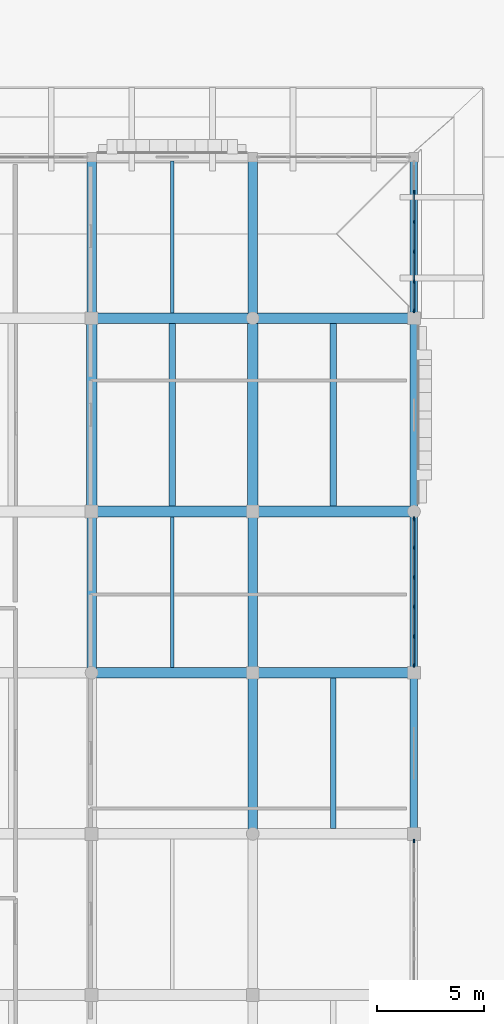
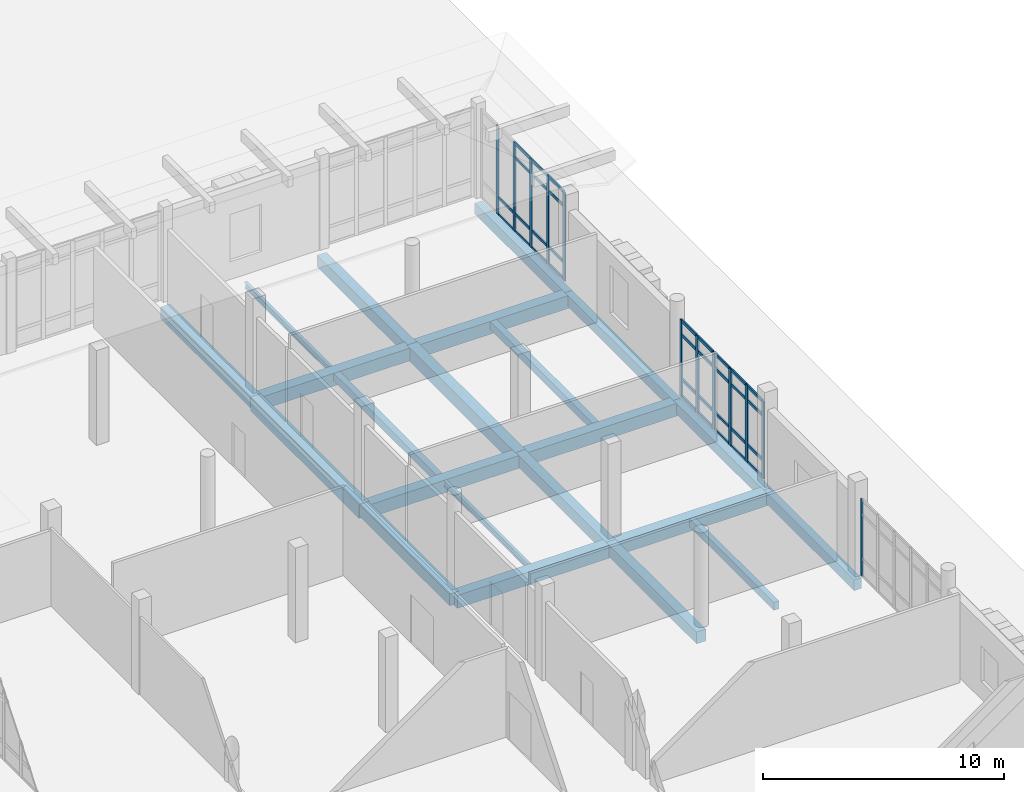
# One storey, part 65 of 125: 46 members, 22 beams, 3 elements without a shape of their own.
"""IFC4 building model written with IfcOpenShell, lengths in metres."""

from ifc_helpers import new_model, si_unit, direction, frame, origin, origin_2d, place, context, subcontext, project, spatial, rectangle, i_section, extrude, material, layer, layer_set, material_profile, profile_set, type_object, element, aggregate, save


model = new_model("IFC4")

# Units and contexts
model_context = context("Model", 3, precision=1e-05, world=origin(), true_north=direction((0.0, 1.0)))
body_context = subcontext(model_context, "Body", "Model", "MODEL_VIEW")
ifc_project = project(units=[si_unit("LENGTHUNIT", "METRE"), si_unit("AREAUNIT", "SQUARE_METRE"), si_unit("VOLUMEUNIT", "CUBIC_METRE"), si_unit("PLANEANGLEUNIT", "RADIAN"), si_unit("MASSUNIT", "GRAM", prefix="KILO")], contexts=[model_context])

# Site, building, storey
site_placement = place(None, origin())
site = spatial("IfcSite", under=ifc_project, at=site_placement, CompositionType="ELEMENT")
building_placement = place(site_placement, origin())
building = spatial("IfcBuilding", under=site, at=building_placement, Name="Dalvernix Boulevard General Hospital", CompositionType="ELEMENT")
storey_placement = place(building_placement, origin())
storey = spatial("IfcBuildingStorey", under=building, at=storey_placement, Name="L00", CompositionType="ELEMENT", Elevation=0.0)

# Beams
ifc_material_1 = material(Name="Concrete C35/45", Category="concrete")
ifc_material_profile_1 = material_profile(ifc_material_1, rectangle(XDim=0.5, YDim=0.699951171875, at=origin_2d()), Name="RCB 500x700")
ifc_profile_set_1 = profile_set([ifc_material_profile_1], Name="Concrete C35/45")
beam_type_1 = type_object("IfcBeamType", Name="BM-B-01-I", PredefinedType="BEAM", material=ifc_profile_set_1)
for number, where, z_axis, x_axis, name in (
    (1, (157.5, 76.5, -0.7099609375), (0.0, 1.0, 0.0), (-1.0, 0.0, 0.0), "L00 N-S girder 22:L-M"),
    (2, (165.0, 76.5, -0.7099609375), (0.0, 1.0, 0.0), (-1.0, 0.0, 0.0), "L00 N-S girder 23:L-M"),
):
    element("IfcBeam", number, at=place(storey_placement, frame(where, z_axis=z_axis, x_axis=x_axis)), inside=storey, type_object=beam_type_1, Name=name, PredefinedType="BEAM", context=body_context, shape_type="SweptSolid", body=[
        extrude(rectangle(XDim=0.5, YDim=0.699951171875, at=origin_2d()), origin(), (0.0, 0.0, 1.0), 9.0),
    ])
ifc_material_profile_2 = material_profile(ifc_material_1, rectangle(XDim=0.5, YDim=0.64990234375, at=origin_2d()), Name="RCB 500x650")
ifc_profile_set_2 = profile_set([ifc_material_profile_2], Name="Concrete C35/45")
beam_type_2 = type_object("IfcBeamType", Name="BM-B-02-I", PredefinedType="BEAM", material=ifc_profile_set_2)
for number, where, z_axis, x_axis, name in (
    (3, (157.5, 69.0, -0.68505859375), (1.0, 0.0, 0.0), (0.0, 1.0, 0.0), "L00 E-W girder K:22-23"),
    (4, (165.0, 69.0, -0.68505859375), (1.0, 0.0, 0.0), (0.0, 1.0, 0.0), "L00 E-W girder K:23-24"),
    (5, (157.5, 76.5, -0.68505859375), (1.0, 0.0, 0.0), (0.0, 1.0, 0.0), "L00 E-W girder L:22-23"),
    (6, (165.0, 76.5, -0.68505859375), (1.0, 0.0, 0.0), (0.0, 1.0, 0.0), "L00 E-W girder L:23-24"),
    (7, (157.5, 85.5, -0.68505859375), (1.0, 0.0, 0.0), (0.0, 1.0, 0.0), "L00 E-W girder M:22-23"),
    (8, (165.0, 85.5, -0.68505859375), (1.0, 0.0, 0.0), (0.0, 1.0, 0.0), "L00 E-W girder M:23-24"),
):
    element("IfcBeam", number, at=place(storey_placement, frame(where, z_axis=z_axis, x_axis=x_axis)), inside=storey, type_object=beam_type_2, Name=name, PredefinedType="BEAM", context=body_context, shape_type="SweptSolid", body=[
        extrude(rectangle(XDim=0.5, YDim=0.64990234375, at=origin_2d()), origin(), (0.0, 0.0, 1.0), 7.5),
    ])
ifc_material_profile_3 = material_profile(ifc_material_1, rectangle(XDim=0.449951171875, YDim=0.60009765625, at=origin_2d()), Name="RCB 450x600")
ifc_profile_set_3 = profile_set([ifc_material_profile_3], Name="Concrete C35/45")
beam_type_3 = type_object("IfcBeamType", Name="BM-B-04-I", PredefinedType="BEAM", material=ifc_profile_set_3)
for number, where, z_axis, x_axis, name in (
    (9, (157.5, 69.0, -0.659912109375), (0.0, 1.0, 0.0), (-1.0, 0.0, 0.0), "L00 N-S girder 22:K-L"),
    (10, (157.5, 85.5, -0.659912109375), (0.0, 1.0, 0.0), (-1.0, 0.0, 0.0), "L00 N-S girder 22:M-N"),
    (11, (165.0, 61.5, -0.659912109375), (0.0, 1.0, 0.0), (-1.0, 0.0, 0.0), "L00 N-S girder 23:J-K"),
    (12, (165.0, 69.0, -0.659912109375), (0.0, 1.0, 0.0), (-1.0, 0.0, 0.0), "L00 N-S girder 23:K-L"),
    (13, (165.0, 85.5, -0.659912109375), (0.0, 1.0, 0.0), (-1.0, 0.0, 0.0), "L00 N-S girder 23:M-N"),
):
    element("IfcBeam", number, at=place(storey_placement, frame(where, z_axis=z_axis, x_axis=x_axis)), inside=storey, type_object=beam_type_3, Name=name, PredefinedType="BEAM", context=body_context, shape_type="SweptSolid", body=[
        extrude(rectangle(XDim=0.449951171875, YDim=0.60009765625, at=origin_2d()), origin(), (0.0, 0.0, 1.0), 7.5),
    ])
ifc_material_profile_4 = material_profile(ifc_material_1, rectangle(XDim=0.300048828125, YDim=0.39990234375, at=origin_2d()), Name="RCB 300x400")
ifc_profile_set_4 = profile_set([ifc_material_profile_4], Name="Concrete C35/45")
beam_type_4 = type_object("IfcBeamType", Name="BM-JB-01", PredefinedType="JOIST", material=ifc_profile_set_4)
for number, where, z_axis, x_axis, name in (
    (14, (161.25, 76.75, -0.56005859375), (0.0, 1.0, 0.0), (-1.0, 0.0, 0.0), "L00 secondary floor beam 22-L"),
    (15, (168.75, 76.75, -0.56005859375), (0.0, 1.0, 0.0), (-1.0, 0.0, 0.0), "L00 secondary floor beam 23-L"),
):
    element("IfcBeam", number, at=place(storey_placement, frame(where, z_axis=z_axis, x_axis=x_axis)), inside=storey, type_object=beam_type_4, Name=name, PredefinedType="JOIST", context=body_context, shape_type="SweptSolid", body=[
        extrude(rectangle(XDim=0.300048828125, YDim=0.39990234375, at=origin_2d()), origin(), (0.0, 0.0, 1.0), 8.5),
    ])
ifc_material_profile_5 = material_profile(ifc_material_1, rectangle(XDim=0.25, YDim=0.39990234375, at=origin_2d()), Name="RCB 250x400")
ifc_profile_set_5 = profile_set([ifc_material_profile_5], Name="Concrete C35/45")
beam_type_5 = type_object("IfcBeamType", Name="BM-JB-02", PredefinedType="JOIST", material=ifc_profile_set_5)
beam_1_placement = place(storey_placement, frame((168.75, 61.75, -0.56005859375), z_axis=(0.0, 1.0, 0.0), x_axis=(-1.0, 0.0, 0.0)))
element("IfcBeam", 16, at=beam_1_placement, inside=storey, type_object=beam_type_5, Name="L00 secondary floor beam 23-J", PredefinedType="JOIST", context=body_context, shape_type="SweptSolid", body=[
    extrude(rectangle(XDim=0.25, YDim=0.39990234375, at=origin_2d()), origin(), (0.0, 0.0, 1.0), 7.0),
])
ifc_material_2 = material(Name="Steel S355", Category="steel")
ifc_material_profile_6 = material_profile(ifc_material_2, i_section(OverallWidth=0.14990234375, OverallDepth=0.300048828125, WebThickness=0.007080078125, FlangeThickness=0.0107421875, FilletRadius=0.014892578125, at=origin_2d()), Name="IPE 300")
ifc_profile_set_6 = profile_set([ifc_material_profile_6], Name="Steel S355")
beam_type_6 = type_object("IfcBeamType", Name="BM-JB-03", PredefinedType="JOIST", material=ifc_profile_set_6)
beam_2_placement = place(storey_placement, frame((161.25, 69.25, -0.510009765625), z_axis=(0.0, 1.0, 0.0), x_axis=(-1.0, 0.0, 0.0)))
element("IfcBeam", 17, at=beam_2_placement, inside=storey, type_object=beam_type_6, Name="L00 secondary floor beam 22-K", PredefinedType="JOIST", context=body_context, shape_type="SweptSolid", body=[
    extrude(i_section(OverallWidth=0.14990234375, OverallDepth=0.300048828125, WebThickness=0.007080078125, FlangeThickness=0.0107421875, FilletRadius=0.014892578125, at=origin_2d()), origin(), (0.0, 0.0, 1.0), 7.0),
])
beam_3_placement = place(storey_placement, frame((161.25, 85.75, -0.510009765625), z_axis=(0.0, 1.0, 0.0), x_axis=(-1.0, 0.0, 0.0)))
element("IfcBeam", 18, at=beam_3_placement, inside=storey, type_object=beam_type_6, Name="L00 secondary floor beam 22-M", PredefinedType="JOIST", context=body_context, shape_type="SweptSolid", body=[
    extrude(i_section(OverallWidth=0.14990234375, OverallDepth=0.300048828125, WebThickness=0.007080078125, FlangeThickness=0.0107421875, FilletRadius=0.014892578125, at=origin_2d()), origin(), (0.0, 0.0, 1.0), 7.074951171875),
])
ifc_material_profile_7 = material_profile(ifc_material_1, rectangle(XDim=0.35009765625, YDim=0.550048828125, at=origin_2d()), Name="RCB 350x550")
ifc_profile_set_7 = profile_set([ifc_material_profile_7], Name="Concrete C35/45")
beam_type_7 = type_object("IfcBeamType", Name="BM-SB-01-E", PredefinedType="SPANDREL", material=ifc_profile_set_7)
for number, where, z_axis, x_axis, name in (
    (19, (172.5, 61.5, -0.635009765625), (0.0, 1.0, 0.0), (-1.0, 0.0, 0.0), "L00 N-S girder 24:J-K"),
    (20, (172.5, 69.0, -0.635009765625), (0.0, 1.0, 0.0), (-1.0, 0.0, 0.0), "L00 N-S girder 24:K-L"),
):
    element("IfcBeam", number, at=place(storey_placement, frame(where, z_axis=z_axis, x_axis=x_axis)), inside=storey, type_object=beam_type_7, Name=name, PredefinedType="SPANDREL", context=body_context, shape_type="SweptSolid", body=[
        extrude(rectangle(XDim=0.35009765625, YDim=0.550048828125, at=origin_2d()), origin(), (0.0, 0.0, 1.0), 7.5),
    ])
beam_4_placement = place(storey_placement, frame((172.5, 76.5, -0.635009765625), z_axis=(0.0, 1.0, 0.0), x_axis=(-1.0, 0.0, 0.0)))
element("IfcBeam", 21, at=beam_4_placement, inside=storey, type_object=beam_type_7, Name="L00 N-S girder 24:L-M", PredefinedType="SPANDREL", context=body_context, shape_type="SweptSolid", body=[
    extrude(rectangle(XDim=0.35009765625, YDim=0.550048828125, at=origin_2d()), origin(), (0.0, 0.0, 1.0), 9.0),
])
beam_5_placement = place(storey_placement, frame((172.5, 85.5, -0.635009765625), z_axis=(0.0, 1.0, 0.0), x_axis=(-1.0, 0.0, 0.0)))
element("IfcBeam", 22, at=beam_5_placement, inside=storey, type_object=beam_type_7, Name="L00 N-S girder 24:M-N", PredefinedType="SPANDREL", context=body_context, shape_type="SweptSolid", body=[
    extrude(rectangle(XDim=0.35009765625, YDim=0.550048828125, at=origin_2d()), origin(), (0.0, 0.0, 1.0), 7.5),
])

# Curtain wall, member
ifc_material_3 = material(Name="Thermally broken aluminium and solar-control glass curtain wall", Category="aluminium")
ifc_layer_1 = layer(ifc_material_3, 0.159912109375)
ifc_layer_set_1 = layer_set([ifc_layer_1], Name="Thermally broken aluminium and solar-control glass curtain wall (CW-CW-A-69x39)")
curtain_wall_type_1 = type_object("IfcCurtainWallType", Name="CW-CW-A-69x39", PredefinedType="USERDEFINED", material=ifc_layer_set_1)
curtain_wall_1_placement = place(storey_placement, origin())
curtain_wall_1 = element("IfcCurtainWall", 23, at=curtain_wall_1_placement, inside=storey, type_object=curtain_wall_type_1, Name="L00 curtain wall CW-A-69x39 23-7", ObjectType="GLAZED FACADE", PredefinedType="USERDEFINED")
ifc_material_4 = material(Name="Aluminium EN AW-6060", Category="aluminium")
ifc_material_profile_8 = material_profile(ifc_material_4, rectangle(XDim=0.06005859375, YDim=0.159912109375, at=origin_2d()), Name="ALU MULL 60x160")
ifc_profile_set_8 = profile_set([ifc_material_profile_8], Name="Aluminium EN AW-6060")
member_type_1 = type_object("IfcMemberType", Name="MEM-CW-M1", PredefinedType="MULLION", material=ifc_profile_set_8)
member_1_placement = place(storey_placement, frame((172.5, 61.159912109375, 0.0), z_axis=(0.0, 0.0, 1.0), x_axis=(1.0, 0.0, 0.0)))
member_1 = element("IfcMember", 24, at=member_1_placement, type_object=member_type_1, Name="CW-A-69x39 mullion 1", PredefinedType="MULLION", context=body_context, shape_type="SweptSolid", body=[
    extrude(rectangle(XDim=0.06005859375, YDim=0.159912109375, at=origin_2d()), origin(), (0.0, 0.0, 1.0), 3.89990234375),
])
aggregate(curtain_wall_1, [member_1])

# Curtain wall, members
ifc_layer_2 = layer(ifc_material_3, 0.179931640625)
ifc_layer_set_2 = layer_set([ifc_layer_2], Name="Thermally broken aluminium and solar-control glass curtain wall (CW-CW-B-70x45)")
curtain_wall_type_2 = type_object("IfcCurtainWallType", Name="CW-CW-B-70x45", PredefinedType="USERDEFINED", material=ifc_layer_set_2)
curtain_wall_2_placement = place(storey_placement, origin())
curtain_wall_2 = element("IfcCurtainWall", 25, at=curtain_wall_2_placement, inside=storey, type_object=curtain_wall_type_2, Name="L00 curtain wall CW-B-70x45 23-11", ObjectType="GLAZED FACADE", PredefinedType="USERDEFINED")
ifc_material_profile_9 = material_profile(ifc_material_4, rectangle(XDim=0.06494140625, YDim=0.179931640625, at=origin_2d()), Name="ALU MULL 65x180")
ifc_profile_set_9 = profile_set([ifc_material_profile_9], Name="Aluminium EN AW-6060")
member_type_2 = type_object("IfcMemberType", Name="MEM-CW-M2", PredefinedType="MULLION", material=ifc_profile_set_9)
member_2_placement = place(storey_placement, frame((172.5, 91.3740234375, 0.0), z_axis=(0.0, 0.0, 1.0), x_axis=(1.0, 0.0, 0.0)))
member_2 = element("IfcMember", 26, at=member_2_placement, type_object=member_type_2, Name="CW-B-70x45 mullion 2", PredefinedType="MULLION", context=body_context, shape_type="SweptSolid", body=[
    extrude(rectangle(XDim=0.06494140625, YDim=0.179931640625, at=origin_2d()), origin(), (0.0, 0.0, 1.0), 4.5),
])
member_3_placement = place(storey_placement, frame((172.5, 89.98291015625, 0.0), z_axis=(0.0, 0.0, 1.0), x_axis=(1.0, 0.0, 0.0)))
member_3 = element("IfcMember", 27, at=member_3_placement, type_object=member_type_2, Name="CW-B-70x45 mullion 3", PredefinedType="MULLION", context=body_context, shape_type="SweptSolid", body=[
    extrude(rectangle(XDim=0.06494140625, YDim=0.179931640625, at=origin_2d()), origin(), (0.0, 0.0, 1.0), 4.5),
])
member_4_placement = place(storey_placement, frame((172.5, 88.592041015625, 0.0), z_axis=(0.0, 0.0, 1.0), x_axis=(1.0, 0.0, 0.0)))
member_4 = element("IfcMember", 28, at=member_4_placement, type_object=member_type_2, Name="CW-B-70x45 mullion 4", PredefinedType="MULLION", context=body_context, shape_type="SweptSolid", body=[
    extrude(rectangle(XDim=0.06494140625, YDim=0.179931640625, at=origin_2d()), origin(), (0.0, 0.0, 1.0), 4.5),
])
member_5_placement = place(storey_placement, frame((172.5, 87.200927734375, 0.0), z_axis=(0.0, 0.0, 1.0), x_axis=(1.0, 0.0, 0.0)))
member_5 = element("IfcMember", 29, at=member_5_placement, type_object=member_type_2, Name="CW-B-70x45 mullion 5", PredefinedType="MULLION", context=body_context, shape_type="SweptSolid", body=[
    extrude(rectangle(XDim=0.06494140625, YDim=0.179931640625, at=origin_2d()), origin(), (0.0, 0.0, 1.0), 4.5),
])
member_6_placement = place(storey_placement, frame((172.5, 85.842529296875, 0.0), z_axis=(0.0, 0.0, 1.0), x_axis=(1.0, 0.0, 0.0)))
member_6 = element("IfcMember", 30, at=member_6_placement, type_object=member_type_2, Name="CW-B-70x45 mullion 6", PredefinedType="MULLION", context=body_context, shape_type="SweptSolid", body=[
    extrude(rectangle(XDim=0.06494140625, YDim=0.179931640625, at=origin_2d()), origin(), (0.0, 0.0, 1.0), 4.5),
])

ifc_layer_3 = layer(ifc_material_3, 0.199951171875)
ifc_layer_set_3 = layer_set([ifc_layer_3], Name="Thermally broken aluminium and solar-control glass curtain wall (CW-CW-C-69x39)")
curtain_wall_type_3 = type_object("IfcCurtainWallType", Name="CW-CW-C-69x39", PredefinedType="USERDEFINED", material=ifc_layer_set_3)
curtain_wall_3_placement = place(storey_placement, origin())
curtain_wall_3 = element("IfcCurtainWall", 31, at=curtain_wall_3_placement, inside=storey, type_object=curtain_wall_type_3, Name="L00 curtain wall CW-C-69x39 23-9", ObjectType="GLAZED FACADE", PredefinedType="USERDEFINED")
ifc_material_profile_10 = material_profile(ifc_material_4, rectangle(XDim=0.070068359375, YDim=0.199951171875, at=origin_2d()), Name="ALU MULL 70x200")
ifc_profile_set_10 = profile_set([ifc_material_profile_10], Name="Aluminium EN AW-6060")
member_type_3 = type_object("IfcMemberType", Name="MEM-CW-M3", PredefinedType="MULLION", material=ifc_profile_set_10)
member_7_placement = place(storey_placement, frame((172.5, 76.155029296875, 0.0), z_axis=(0.0, 0.0, 1.0), x_axis=(1.0, 0.0, 0.0)))
member_7 = element("IfcMember", 32, at=member_7_placement, type_object=member_type_3, Name="CW-C-69x39 mullion 1", PredefinedType="MULLION", context=body_context, shape_type="SweptSolid", body=[
    extrude(rectangle(XDim=0.070068359375, YDim=0.199951171875, at=origin_2d()), origin(), (0.0, 0.0, 1.0), 3.89990234375),
])
member_8_placement = place(storey_placement, frame((172.5, 74.81396484375, 0.0), z_axis=(0.0, 0.0, 1.0), x_axis=(1.0, 0.0, 0.0)))
member_8 = element("IfcMember", 33, at=member_8_placement, type_object=member_type_3, Name="CW-C-69x39 mullion 2", PredefinedType="MULLION", context=body_context, shape_type="SweptSolid", body=[
    extrude(rectangle(XDim=0.070068359375, YDim=0.199951171875, at=origin_2d()), origin(), (0.0, 0.0, 1.0), 3.89990234375),
])
member_9_placement = place(storey_placement, frame((172.5, 73.43798828125, 0.0), z_axis=(0.0, 0.0, 1.0), x_axis=(1.0, 0.0, 0.0)))
member_9 = element("IfcMember", 34, at=member_9_placement, type_object=member_type_3, Name="CW-C-69x39 mullion 3", PredefinedType="MULLION", context=body_context, shape_type="SweptSolid", body=[
    extrude(rectangle(XDim=0.070068359375, YDim=0.199951171875, at=origin_2d()), origin(), (0.0, 0.0, 1.0), 3.89990234375),
])
member_10_placement = place(storey_placement, frame((172.5, 72.06201171875, 0.0), z_axis=(0.0, 0.0, 1.0), x_axis=(1.0, 0.0, 0.0)))
member_10 = element("IfcMember", 35, at=member_10_placement, type_object=member_type_3, Name="CW-C-69x39 mullion 4", PredefinedType="MULLION", context=body_context, shape_type="SweptSolid", body=[
    extrude(rectangle(XDim=0.070068359375, YDim=0.199951171875, at=origin_2d()), origin(), (0.0, 0.0, 1.0), 3.89990234375),
])
member_11_placement = place(storey_placement, frame((172.5, 70.68603515625, 0.0), z_axis=(0.0, 0.0, 1.0), x_axis=(1.0, 0.0, 0.0)))
member_11 = element("IfcMember", 36, at=member_11_placement, type_object=member_type_3, Name="CW-C-69x39 mullion 5", PredefinedType="MULLION", context=body_context, shape_type="SweptSolid", body=[
    extrude(rectangle(XDim=0.070068359375, YDim=0.199951171875, at=origin_2d()), origin(), (0.0, 0.0, 1.0), 3.89990234375),
])
member_12_placement = place(storey_placement, frame((172.5, 69.344970703125, 0.0), z_axis=(0.0, 0.0, 1.0), x_axis=(1.0, 0.0, 0.0)))
member_12 = element("IfcMember", 37, at=member_12_placement, type_object=member_type_3, Name="CW-C-69x39 mullion 6", PredefinedType="MULLION", context=body_context, shape_type="SweptSolid", body=[
    extrude(rectangle(XDim=0.070068359375, YDim=0.199951171875, at=origin_2d()), origin(), (0.0, 0.0, 1.0), 3.89990234375),
])

# Member
ifc_material_profile_11 = material_profile(ifc_material_4, rectangle(XDim=0.06494140625, YDim=0.139892578125, at=origin_2d()), Name="ALU TRAN 65x140")
ifc_profile_set_11 = profile_set([ifc_material_profile_11], Name="Aluminium EN AW-6060")
member_type_4 = type_object("IfcMemberType", Name="MEM-CW-T2", PredefinedType="USERDEFINED", material=ifc_profile_set_11)
member_13_placement = place(storey_placement, frame((172.5, 91.341552734375, 0.032470703125), z_axis=(0.0, -1.0, 0.0), x_axis=(1.0, 0.0, 0.0)))
member_13 = element("IfcMember", 38, at=member_13_placement, type_object=member_type_4, Name="CW-B-70x45 transom 2.1", ObjectType="TRANSOM", PredefinedType="USERDEFINED", context=body_context, shape_type="SweptSolid", body=[
    extrude(rectangle(XDim=0.06494140625, YDim=0.139892578125, at=origin_2d()), origin(), (0.0, 0.0, 1.0), 1.326171875),
])

member_14_placement = place(storey_placement, frame((172.5, 91.341552734375, 0.89990234375), z_axis=(0.0, -1.0, 0.0), x_axis=(1.0, 0.0, 0.0)))
member_14 = element("IfcMember", 39, at=member_14_placement, type_object=member_type_4, Name="CW-B-70x45 transom 2.2", ObjectType="TRANSOM", PredefinedType="USERDEFINED", context=body_context, shape_type="SweptSolid", body=[
    extrude(rectangle(XDim=0.06494140625, YDim=0.139892578125, at=origin_2d()), origin(), (0.0, 0.0, 1.0), 1.326171875),
])

member_15_placement = place(storey_placement, frame((172.5, 89.950439453125, 0.032470703125), z_axis=(0.0, -1.0, 0.0), x_axis=(1.0, 0.0, 0.0)))
member_15 = element("IfcMember", 40, at=member_15_placement, type_object=member_type_4, Name="CW-B-70x45 transom 3.1", ObjectType="TRANSOM", PredefinedType="USERDEFINED", context=body_context, shape_type="SweptSolid", body=[
    extrude(rectangle(XDim=0.06494140625, YDim=0.139892578125, at=origin_2d()), origin(), (0.0, 0.0, 1.0), 1.325927734375),
])

member_16_placement = place(storey_placement, frame((172.5, 89.950439453125, 0.89990234375), z_axis=(0.0, -1.0, 0.0), x_axis=(1.0, 0.0, 0.0)))
member_16 = element("IfcMember", 41, at=member_16_placement, type_object=member_type_4, Name="CW-B-70x45 transom 3.2", ObjectType="TRANSOM", PredefinedType="USERDEFINED", context=body_context, shape_type="SweptSolid", body=[
    extrude(rectangle(XDim=0.06494140625, YDim=0.139892578125, at=origin_2d()), origin(), (0.0, 0.0, 1.0), 1.325927734375),
])

member_17_placement = place(storey_placement, frame((172.5, 89.950439453125, 3.75), z_axis=(0.0, -1.0, 0.0), x_axis=(1.0, 0.0, 0.0)))
member_17 = element("IfcMember", 42, at=member_17_placement, type_object=member_type_4, Name="CW-B-70x45 transom 3.3", ObjectType="TRANSOM", PredefinedType="USERDEFINED", context=body_context, shape_type="SweptSolid", body=[
    extrude(rectangle(XDim=0.06494140625, YDim=0.139892578125, at=origin_2d()), origin(), (0.0, 0.0, 1.0), 1.325927734375),
])

member_18_placement = place(storey_placement, frame((172.5, 89.950439453125, 4.467529296875), z_axis=(0.0, -1.0, 0.0), x_axis=(1.0, 0.0, 0.0)))
member_18 = element("IfcMember", 43, at=member_18_placement, type_object=member_type_4, Name="CW-B-70x45 transom 3.4", ObjectType="TRANSOM", PredefinedType="USERDEFINED", context=body_context, shape_type="SweptSolid", body=[
    extrude(rectangle(XDim=0.06494140625, YDim=0.139892578125, at=origin_2d()), origin(), (0.0, 0.0, 1.0), 1.325927734375),
])

member_19_placement = place(storey_placement, frame((172.5, 88.5595703125, 0.032470703125), z_axis=(0.0, -1.0, 0.0), x_axis=(1.0, 0.0, 0.0)))
member_19 = element("IfcMember", 44, at=member_19_placement, type_object=member_type_4, Name="CW-B-70x45 transom 4.1", ObjectType="TRANSOM", PredefinedType="USERDEFINED", context=body_context, shape_type="SweptSolid", body=[
    extrude(rectangle(XDim=0.06494140625, YDim=0.139892578125, at=origin_2d()), origin(), (0.0, 0.0, 1.0), 1.326171875),
])

member_20_placement = place(storey_placement, frame((172.5, 88.5595703125, 0.89990234375), z_axis=(0.0, -1.0, 0.0), x_axis=(1.0, 0.0, 0.0)))
member_20 = element("IfcMember", 45, at=member_20_placement, type_object=member_type_4, Name="CW-B-70x45 transom 4.2", ObjectType="TRANSOM", PredefinedType="USERDEFINED", context=body_context, shape_type="SweptSolid", body=[
    extrude(rectangle(XDim=0.06494140625, YDim=0.139892578125, at=origin_2d()), origin(), (0.0, 0.0, 1.0), 1.326171875),
])

member_21_placement = place(storey_placement, frame((172.5, 88.5595703125, 3.75), z_axis=(0.0, -1.0, 0.0), x_axis=(1.0, 0.0, 0.0)))
member_21 = element("IfcMember", 46, at=member_21_placement, type_object=member_type_4, Name="CW-B-70x45 transom 4.3", ObjectType="TRANSOM", PredefinedType="USERDEFINED", context=body_context, shape_type="SweptSolid", body=[
    extrude(rectangle(XDim=0.06494140625, YDim=0.139892578125, at=origin_2d()), origin(), (0.0, 0.0, 1.0), 1.326171875),
])

member_22_placement = place(storey_placement, frame((172.5, 88.5595703125, 4.467529296875), z_axis=(0.0, -1.0, 0.0), x_axis=(1.0, 0.0, 0.0)))
member_22 = element("IfcMember", 47, at=member_22_placement, type_object=member_type_4, Name="CW-B-70x45 transom 4.4", ObjectType="TRANSOM", PredefinedType="USERDEFINED", context=body_context, shape_type="SweptSolid", body=[
    extrude(rectangle(XDim=0.06494140625, YDim=0.139892578125, at=origin_2d()), origin(), (0.0, 0.0, 1.0), 1.326171875),
])

member_23_placement = place(storey_placement, frame((172.5, 87.16845703125, 0.032470703125), z_axis=(0.0, -1.0, 0.0), x_axis=(1.0, 0.0, 0.0)))
member_23 = element("IfcMember", 48, at=member_23_placement, type_object=member_type_4, Name="CW-B-70x45 transom 5.1", ObjectType="TRANSOM", PredefinedType="USERDEFINED", context=body_context, shape_type="SweptSolid", body=[
    extrude(rectangle(XDim=0.06494140625, YDim=0.139892578125, at=origin_2d()), origin(), (0.0, 0.0, 1.0), 1.29345703125),
])

member_24_placement = place(storey_placement, frame((172.5, 87.16845703125, 0.89990234375), z_axis=(0.0, -1.0, 0.0), x_axis=(1.0, 0.0, 0.0)))
member_24 = element("IfcMember", 49, at=member_24_placement, type_object=member_type_4, Name="CW-B-70x45 transom 5.2", ObjectType="TRANSOM", PredefinedType="USERDEFINED", context=body_context, shape_type="SweptSolid", body=[
    extrude(rectangle(XDim=0.06494140625, YDim=0.139892578125, at=origin_2d()), origin(), (0.0, 0.0, 1.0), 1.29345703125),
])

member_25_placement = place(storey_placement, frame((172.5, 87.16845703125, 3.75), z_axis=(0.0, -1.0, 0.0), x_axis=(1.0, 0.0, 0.0)))
member_25 = element("IfcMember", 50, at=member_25_placement, type_object=member_type_4, Name="CW-B-70x45 transom 5.3", ObjectType="TRANSOM", PredefinedType="USERDEFINED", context=body_context, shape_type="SweptSolid", body=[
    extrude(rectangle(XDim=0.06494140625, YDim=0.139892578125, at=origin_2d()), origin(), (0.0, 0.0, 1.0), 1.29345703125),
])

member_26_placement = place(storey_placement, frame((172.5, 87.16845703125, 4.467529296875), z_axis=(0.0, -1.0, 0.0), x_axis=(1.0, 0.0, 0.0)))
member_26 = element("IfcMember", 51, at=member_26_placement, type_object=member_type_4, Name="CW-B-70x45 transom 5.4", ObjectType="TRANSOM", PredefinedType="USERDEFINED", context=body_context, shape_type="SweptSolid", body=[
    extrude(rectangle(XDim=0.06494140625, YDim=0.139892578125, at=origin_2d()), origin(), (0.0, 0.0, 1.0), 1.29345703125),
])

aggregate(curtain_wall_2, [member_2, member_3, member_4, member_5, member_6, member_13, member_14, member_15, member_16, member_17, member_18, member_19, member_20, member_21, member_22, member_23, member_24, member_25, member_26])

ifc_material_profile_12 = material_profile(ifc_material_4, rectangle(XDim=0.070068359375, YDim=0.14990234375, at=origin_2d()), Name="ALU TRAN 70x150")
ifc_profile_set_12 = profile_set([ifc_material_profile_12], Name="Aluminium EN AW-6060")
member_type_5 = type_object("IfcMemberType", Name="MEM-CW-T3", PredefinedType="USERDEFINED", material=ifc_profile_set_12)
member_27_placement = place(storey_placement, frame((172.5, 76.1201171875, 0.034912109375), z_axis=(0.0, -1.0, 0.0), x_axis=(1.0, 0.0, 0.0)))
member_27 = element("IfcMember", 52, at=member_27_placement, type_object=member_type_5, Name="CW-C-69x39 transom 1.1", ObjectType="TRANSOM", PredefinedType="USERDEFINED", context=body_context, shape_type="SweptSolid", body=[
    extrude(rectangle(XDim=0.070068359375, YDim=0.14990234375, at=origin_2d()), origin(), (0.0, 0.0, 1.0), 1.27099609375),
])

member_28_placement = place(storey_placement, frame((172.5, 76.1201171875, 0.89990234375), z_axis=(0.0, -1.0, 0.0), x_axis=(1.0, 0.0, 0.0)))
member_28 = element("IfcMember", 53, at=member_28_placement, type_object=member_type_5, Name="CW-C-69x39 transom 1.2", ObjectType="TRANSOM", PredefinedType="USERDEFINED", context=body_context, shape_type="SweptSolid", body=[
    extrude(rectangle(XDim=0.070068359375, YDim=0.14990234375, at=origin_2d()), origin(), (0.0, 0.0, 1.0), 1.27099609375),
])

member_29_placement = place(storey_placement, frame((172.5, 76.1201171875, 3.14990234375), z_axis=(0.0, -1.0, 0.0), x_axis=(1.0, 0.0, 0.0)))
member_29 = element("IfcMember", 54, at=member_29_placement, type_object=member_type_5, Name="CW-C-69x39 transom 1.3", ObjectType="TRANSOM", PredefinedType="USERDEFINED", context=body_context, shape_type="SweptSolid", body=[
    extrude(rectangle(XDim=0.070068359375, YDim=0.14990234375, at=origin_2d()), origin(), (0.0, 0.0, 1.0), 1.27099609375),
])

member_30_placement = place(storey_placement, frame((172.5, 76.1201171875, 3.864990234375), z_axis=(0.0, -1.0, 0.0), x_axis=(1.0, 0.0, 0.0)))
member_30 = element("IfcMember", 55, at=member_30_placement, type_object=member_type_5, Name="CW-C-69x39 transom 1.4", ObjectType="TRANSOM", PredefinedType="USERDEFINED", context=body_context, shape_type="SweptSolid", body=[
    extrude(rectangle(XDim=0.070068359375, YDim=0.14990234375, at=origin_2d()), origin(), (0.0, 0.0, 1.0), 1.27099609375),
])

member_31_placement = place(storey_placement, frame((172.5, 74.779052734375, 0.034912109375), z_axis=(0.0, -1.0, 0.0), x_axis=(1.0, 0.0, 0.0)))
member_31 = element("IfcMember", 56, at=member_31_placement, type_object=member_type_5, Name="CW-C-69x39 transom 2.1", ObjectType="TRANSOM", PredefinedType="USERDEFINED", context=body_context, shape_type="SweptSolid", body=[
    extrude(rectangle(XDim=0.070068359375, YDim=0.14990234375, at=origin_2d()), origin(), (0.0, 0.0, 1.0), 1.30615234375),
])

member_32_placement = place(storey_placement, frame((172.5, 74.779052734375, 0.89990234375), z_axis=(0.0, -1.0, 0.0), x_axis=(1.0, 0.0, 0.0)))
member_32 = element("IfcMember", 57, at=member_32_placement, type_object=member_type_5, Name="CW-C-69x39 transom 2.2", ObjectType="TRANSOM", PredefinedType="USERDEFINED", context=body_context, shape_type="SweptSolid", body=[
    extrude(rectangle(XDim=0.070068359375, YDim=0.14990234375, at=origin_2d()), origin(), (0.0, 0.0, 1.0), 1.30615234375),
])

member_33_placement = place(storey_placement, frame((172.5, 74.779052734375, 3.14990234375), z_axis=(0.0, -1.0, 0.0), x_axis=(1.0, 0.0, 0.0)))
member_33 = element("IfcMember", 58, at=member_33_placement, type_object=member_type_5, Name="CW-C-69x39 transom 2.3", ObjectType="TRANSOM", PredefinedType="USERDEFINED", context=body_context, shape_type="SweptSolid", body=[
    extrude(rectangle(XDim=0.070068359375, YDim=0.14990234375, at=origin_2d()), origin(), (0.0, 0.0, 1.0), 1.30615234375),
])

member_34_placement = place(storey_placement, frame((172.5, 74.779052734375, 3.864990234375), z_axis=(0.0, -1.0, 0.0), x_axis=(1.0, 0.0, 0.0)))
member_34 = element("IfcMember", 59, at=member_34_placement, type_object=member_type_5, Name="CW-C-69x39 transom 2.4", ObjectType="TRANSOM", PredefinedType="USERDEFINED", context=body_context, shape_type="SweptSolid", body=[
    extrude(rectangle(XDim=0.070068359375, YDim=0.14990234375, at=origin_2d()), origin(), (0.0, 0.0, 1.0), 1.30615234375),
])

member_35_placement = place(storey_placement, frame((172.5, 73.403076171875, 0.034912109375), z_axis=(0.0, -1.0, 0.0), x_axis=(1.0, 0.0, 0.0)))
member_35 = element("IfcMember", 60, at=member_35_placement, type_object=member_type_5, Name="CW-C-69x39 transom 3.1", ObjectType="TRANSOM", PredefinedType="USERDEFINED", context=body_context, shape_type="SweptSolid", body=[
    extrude(rectangle(XDim=0.070068359375, YDim=0.14990234375, at=origin_2d()), origin(), (0.0, 0.0, 1.0), 1.30615234375),
])

member_36_placement = place(storey_placement, frame((172.5, 73.403076171875, 0.89990234375), z_axis=(0.0, -1.0, 0.0), x_axis=(1.0, 0.0, 0.0)))
member_36 = element("IfcMember", 61, at=member_36_placement, type_object=member_type_5, Name="CW-C-69x39 transom 3.2", ObjectType="TRANSOM", PredefinedType="USERDEFINED", context=body_context, shape_type="SweptSolid", body=[
    extrude(rectangle(XDim=0.070068359375, YDim=0.14990234375, at=origin_2d()), origin(), (0.0, 0.0, 1.0), 1.30615234375),
])

member_37_placement = place(storey_placement, frame((172.5, 73.403076171875, 3.14990234375), z_axis=(0.0, -1.0, 0.0), x_axis=(1.0, 0.0, 0.0)))
member_37 = element("IfcMember", 62, at=member_37_placement, type_object=member_type_5, Name="CW-C-69x39 transom 3.3", ObjectType="TRANSOM", PredefinedType="USERDEFINED", context=body_context, shape_type="SweptSolid", body=[
    extrude(rectangle(XDim=0.070068359375, YDim=0.14990234375, at=origin_2d()), origin(), (0.0, 0.0, 1.0), 1.30615234375),
])

member_38_placement = place(storey_placement, frame((172.5, 73.403076171875, 3.864990234375), z_axis=(0.0, -1.0, 0.0), x_axis=(1.0, 0.0, 0.0)))
member_38 = element("IfcMember", 63, at=member_38_placement, type_object=member_type_5, Name="CW-C-69x39 transom 3.4", ObjectType="TRANSOM", PredefinedType="USERDEFINED", context=body_context, shape_type="SweptSolid", body=[
    extrude(rectangle(XDim=0.070068359375, YDim=0.14990234375, at=origin_2d()), origin(), (0.0, 0.0, 1.0), 1.30615234375),
])

member_39_placement = place(storey_placement, frame((172.5, 72.027099609375, 0.034912109375), z_axis=(0.0, -1.0, 0.0), x_axis=(1.0, 0.0, 0.0)))
member_39 = element("IfcMember", 64, at=member_39_placement, type_object=member_type_5, Name="CW-C-69x39 transom 4.1", ObjectType="TRANSOM", PredefinedType="USERDEFINED", context=body_context, shape_type="SweptSolid", body=[
    extrude(rectangle(XDim=0.070068359375, YDim=0.14990234375, at=origin_2d()), origin(), (0.0, 0.0, 1.0), 1.30615234375),
])

member_40_placement = place(storey_placement, frame((172.5, 72.027099609375, 0.89990234375), z_axis=(0.0, -1.0, 0.0), x_axis=(1.0, 0.0, 0.0)))
member_40 = element("IfcMember", 65, at=member_40_placement, type_object=member_type_5, Name="CW-C-69x39 transom 4.2", ObjectType="TRANSOM", PredefinedType="USERDEFINED", context=body_context, shape_type="SweptSolid", body=[
    extrude(rectangle(XDim=0.070068359375, YDim=0.14990234375, at=origin_2d()), origin(), (0.0, 0.0, 1.0), 1.30615234375),
])

member_41_placement = place(storey_placement, frame((172.5, 72.027099609375, 3.14990234375), z_axis=(0.0, -1.0, 0.0), x_axis=(1.0, 0.0, 0.0)))
member_41 = element("IfcMember", 66, at=member_41_placement, type_object=member_type_5, Name="CW-C-69x39 transom 4.3", ObjectType="TRANSOM", PredefinedType="USERDEFINED", context=body_context, shape_type="SweptSolid", body=[
    extrude(rectangle(XDim=0.070068359375, YDim=0.14990234375, at=origin_2d()), origin(), (0.0, 0.0, 1.0), 1.30615234375),
])

member_42_placement = place(storey_placement, frame((172.5, 72.027099609375, 3.864990234375), z_axis=(0.0, -1.0, 0.0), x_axis=(1.0, 0.0, 0.0)))
member_42 = element("IfcMember", 67, at=member_42_placement, type_object=member_type_5, Name="CW-C-69x39 transom 4.4", ObjectType="TRANSOM", PredefinedType="USERDEFINED", context=body_context, shape_type="SweptSolid", body=[
    extrude(rectangle(XDim=0.070068359375, YDim=0.14990234375, at=origin_2d()), origin(), (0.0, 0.0, 1.0), 1.30615234375),
])

member_43_placement = place(storey_placement, frame((172.5, 70.65087890625, 0.034912109375), z_axis=(0.0, -1.0, 0.0), x_axis=(1.0, 0.0, 0.0)))
member_43 = element("IfcMember", 68, at=member_43_placement, type_object=member_type_5, Name="CW-C-69x39 transom 5.1", ObjectType="TRANSOM", PredefinedType="USERDEFINED", context=body_context, shape_type="SweptSolid", body=[
    extrude(rectangle(XDim=0.070068359375, YDim=0.14990234375, at=origin_2d()), origin(), (0.0, 0.0, 1.0), 1.27099609375),
])

member_44_placement = place(storey_placement, frame((172.5, 70.65087890625, 0.89990234375), z_axis=(0.0, -1.0, 0.0), x_axis=(1.0, 0.0, 0.0)))
member_44 = element("IfcMember", 69, at=member_44_placement, type_object=member_type_5, Name="CW-C-69x39 transom 5.2", ObjectType="TRANSOM", PredefinedType="USERDEFINED", context=body_context, shape_type="SweptSolid", body=[
    extrude(rectangle(XDim=0.070068359375, YDim=0.14990234375, at=origin_2d()), origin(), (0.0, 0.0, 1.0), 1.27099609375),
])

member_45_placement = place(storey_placement, frame((172.5, 70.65087890625, 3.14990234375), z_axis=(0.0, -1.0, 0.0), x_axis=(1.0, 0.0, 0.0)))
member_45 = element("IfcMember", 70, at=member_45_placement, type_object=member_type_5, Name="CW-C-69x39 transom 5.3", ObjectType="TRANSOM", PredefinedType="USERDEFINED", context=body_context, shape_type="SweptSolid", body=[
    extrude(rectangle(XDim=0.070068359375, YDim=0.14990234375, at=origin_2d()), origin(), (0.0, 0.0, 1.0), 1.27099609375),
])

member_46_placement = place(storey_placement, frame((172.5, 70.65087890625, 3.864990234375), z_axis=(0.0, -1.0, 0.0), x_axis=(1.0, 0.0, 0.0)))
member_46 = element("IfcMember", 71, at=member_46_placement, type_object=member_type_5, Name="CW-C-69x39 transom 5.4", ObjectType="TRANSOM", PredefinedType="USERDEFINED", context=body_context, shape_type="SweptSolid", body=[
    extrude(rectangle(XDim=0.070068359375, YDim=0.14990234375, at=origin_2d()), origin(), (0.0, 0.0, 1.0), 1.27099609375),
])

aggregate(curtain_wall_3, [member_7, member_8, member_9, member_10, member_11, member_12, member_27, member_28, member_29, member_30, member_31, member_32, member_33, member_34, member_35, member_36, member_37, member_38, member_39, member_40, member_41, member_42, member_43, member_44, member_45, member_46])

save(model, "model.ifc")
